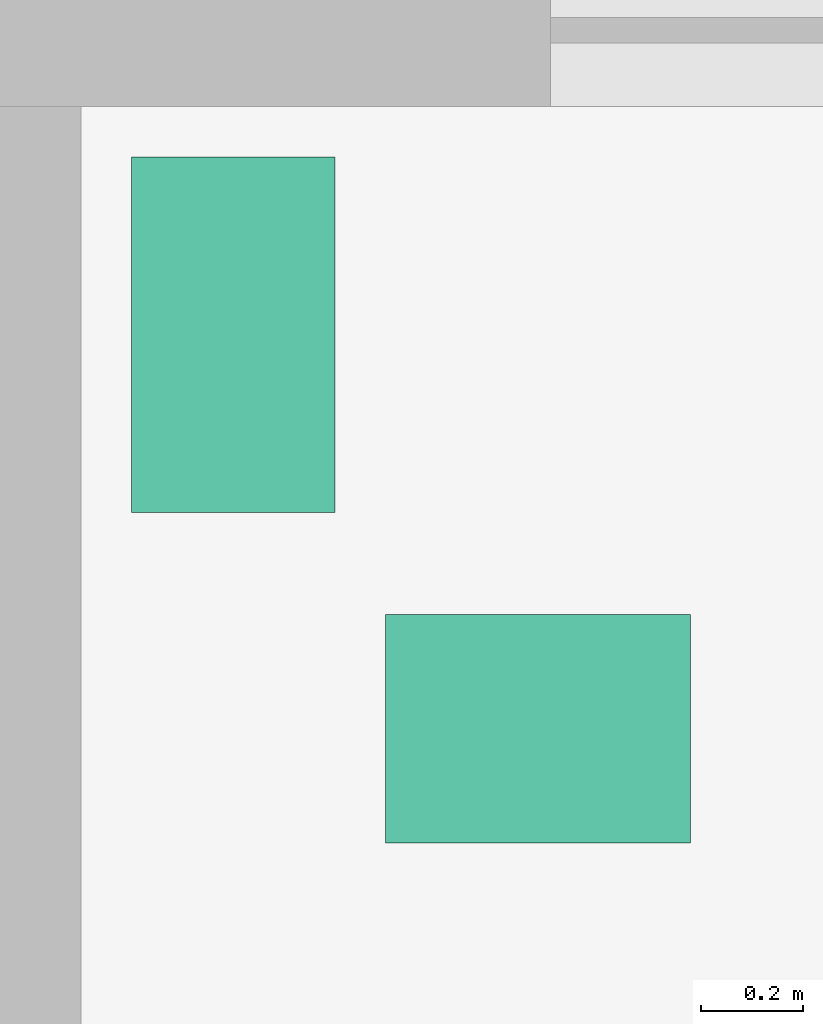
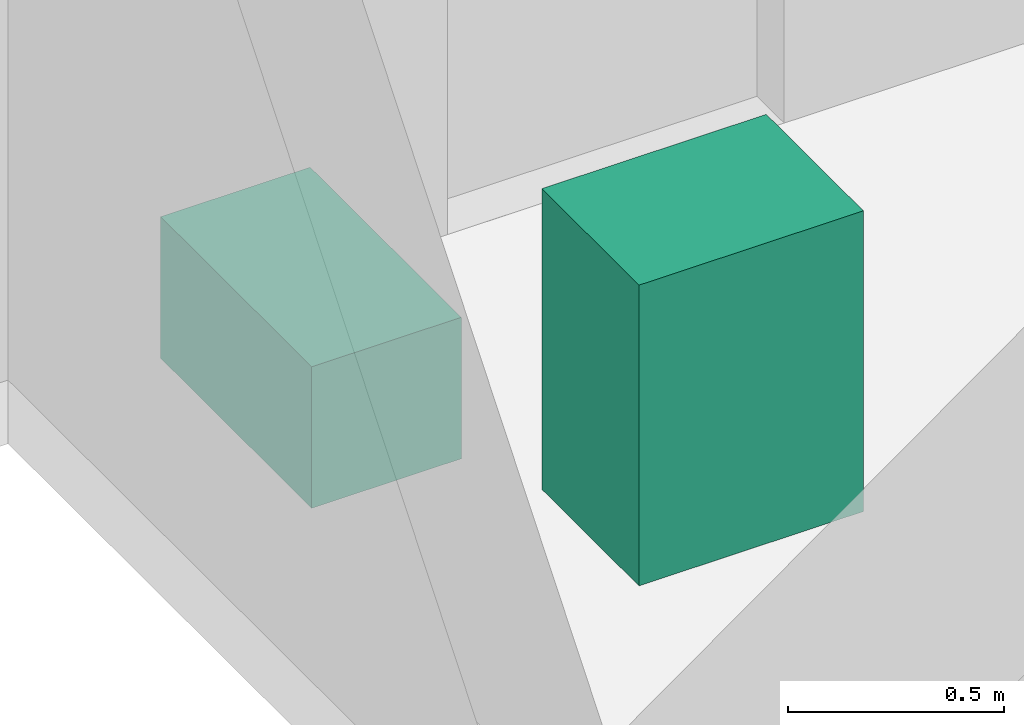
# One storey, part 16 of 16: 2 sanitary terminals.
"""IFC4 building model written with IfcOpenShell, lengths in metres."""

from ifc_helpers import new_model, si_unit, direction, frame, origin, origin_2d, place, context, subcontext, project, spatial, rectangle, extrude, element, save


model = new_model("IFC4")

# Units and contexts
model_context = context("Model", 3, precision=1e-05, world=origin(), true_north=direction((0.0, 1.0)))
body_context = subcontext(model_context, "Body", "Model", "MODEL_VIEW")
ifc_project = project(units=[si_unit("LENGTHUNIT", "METRE"), si_unit("AREAUNIT", "SQUARE_METRE"), si_unit("VOLUMEUNIT", "CUBIC_METRE"), si_unit("PLANEANGLEUNIT", "RADIAN"), si_unit("MASSUNIT", "GRAM", prefix="KILO")], contexts=[model_context])

# Site, building, storey
site_placement = place(None, origin())
site = spatial("IfcSite", under=ifc_project, at=site_placement, CompositionType="ELEMENT")
building_placement = place(site_placement, origin())
building = spatial("IfcBuilding", under=site, at=building_placement, Name="Hankou Lantern Tower", CompositionType="ELEMENT")
storey_placement = place(building_placement, frame((0.0, 0.0, 70.5)))
storey = spatial("IfcBuildingStorey", under=building, at=storey_placement, Name="L17", CompositionType="ELEMENT", Elevation=70.5)

# Sanitary terminals
sanitary_terminal_1_placement = place(storey_placement, frame((-5.574951171875, -2.199951171875, 0.0), z_axis=(0.0, 0.0, 1.0), x_axis=(1.0, 0.0, 0.0)))
element("IfcSanitaryTerminal", 1, at=sanitary_terminal_1_placement, inside=storey, Name="Accessible staff WC WC pan 1", PredefinedType="TOILETPAN", context=body_context, shape_type="SweptSolid", body=[
    extrude(rectangle(XDim=0.39990234375, YDim=0.699951171875, at=origin_2d()), origin(), (0.0, 0.0, 1.0), 0.39990234375),
])
sanitary_terminal_2_placement = place(storey_placement, frame((-4.97509765625, -2.97509765625, 0.0), z_axis=(0.0, 0.0, 1.0), x_axis=(1.0, 0.0, 0.0)))
element("IfcSanitaryTerminal", 2, at=sanitary_terminal_2_placement, inside=storey, Name="Accessible staff WC wash basin 1", PredefinedType="WASHHANDBASIN", context=body_context, shape_type="SweptSolid", body=[
    extrude(rectangle(XDim=0.60009765625, YDim=0.449951171875, at=origin_2d()), origin(), (0.0, 0.0, 1.0), 0.85009765625),
])

save(model, "model.ifc")
